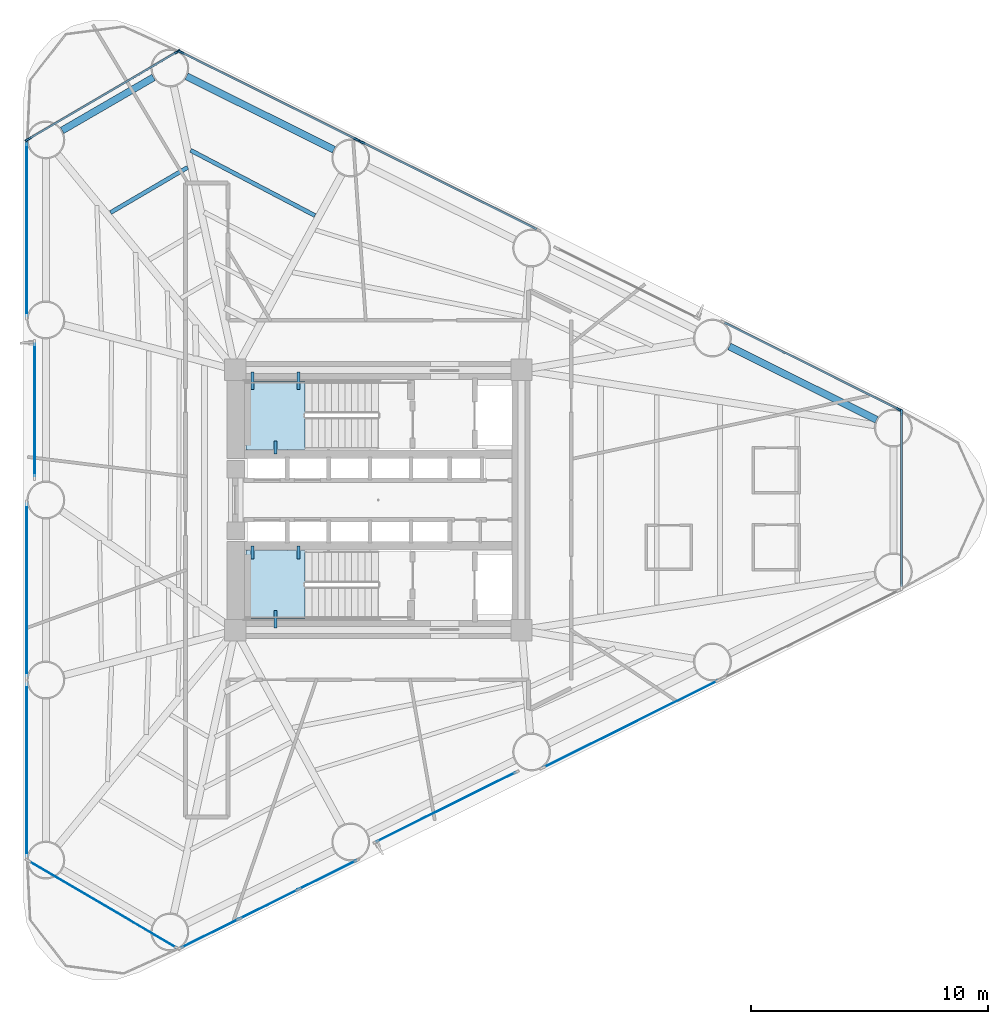
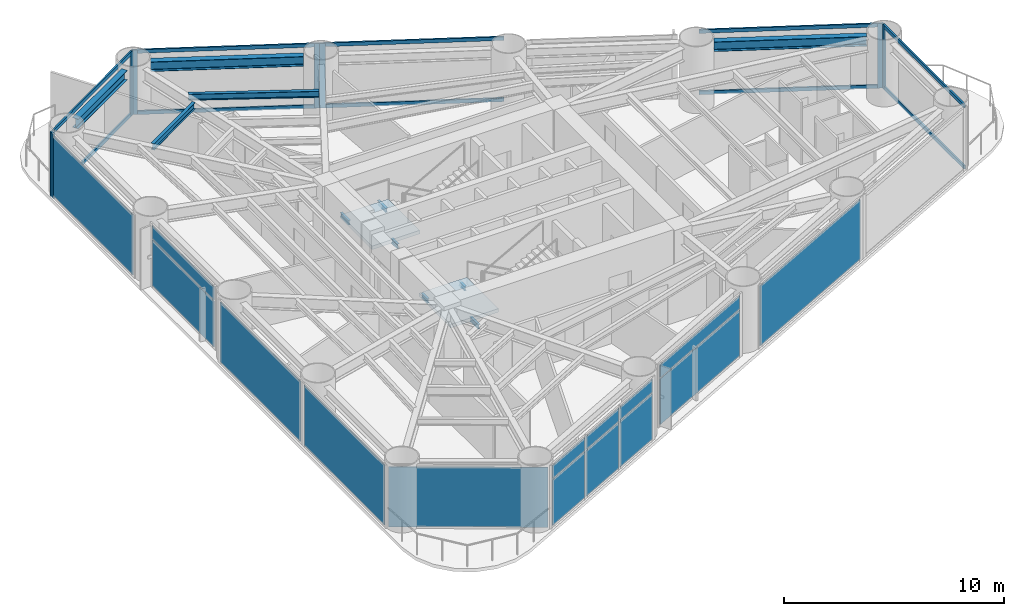
# One storey, part 4 of 10: 18 members, 15 plates, 11 beams, 2 slabs, 15 elements without a shape of their own.
"""IFC4 building model written with IfcOpenShell, lengths in metres."""

from ifc_helpers import new_model, si_unit, direction, frame, origin, origin_2d, place, context, subcontext, project, spatial, polyline, rectangle, i_section, outline, extrude, source, transform, mapped, material, layer, layer_set, material_profile, profile_set, type_object, element, aggregate, save


model = new_model("IFC4")

# Units and contexts
model_context = context("Model", 3, precision=1e-05, world=origin(), true_north=direction((0.0, 1.0)))
body_context = subcontext(model_context, "Body", "Model", "MODEL_VIEW")
ifc_project = project(units=[si_unit("LENGTHUNIT", "METRE"), si_unit("AREAUNIT", "SQUARE_METRE"), si_unit("VOLUMEUNIT", "CUBIC_METRE"), si_unit("PLANEANGLEUNIT", "RADIAN"), si_unit("MASSUNIT", "GRAM", prefix="KILO")], contexts=[model_context])

# Site, building, storey
site_placement = place(None, origin())
site = spatial("IfcSite", under=ifc_project, at=site_placement, CompositionType="ELEMENT")
building_placement = place(site_placement, origin())
building = spatial("IfcBuilding", under=site, at=building_placement, Name="Yunling Apex Tower", CompositionType="ELEMENT")
storey_placement = place(building_placement, frame((0.0, 0.0, 46.0)))
storey = spatial("IfcBuildingStorey", under=building, at=storey_placement, Name="L13", CompositionType="ELEMENT", Elevation=46.0)

# Beams
ifc_material_1 = material(Name="Steel Q355B", Category="steel")
ifc_material_profile_1 = material_profile(ifc_material_1, i_section(OverallWidth=0.125, OverallDepth=0.25, WebThickness=0.006103515625, FlangeThickness=0.009033203125, FilletRadius=0.011962890625, at=origin_2d()))
ifc_profile_set_1 = profile_set([ifc_material_profile_1], Name="Steel Q355B")
beam_type_1 = type_object("IfcBeamType", Name="BL-LNT-1", PredefinedType="LINTEL", material=ifc_profile_set_1)
shared_shape_1 = source(origin(), body_context, "Body", "SweptSolid", [
    extrude(i_section(OverallWidth=0.125, OverallDepth=0.25, WebThickness=0.006103515625, FlangeThickness=0.009033203125, FilletRadius=0.011962890625, at=origin_2d()), origin(), (0.0, 0.0, 1.0), 0.760009765625),
])
for number, where, z_axis, x_axis, name in (
    (1, (-5.320068359375, 5.419921875, 1.530029296875), (0.0, -1.0, 0.0), (1.0, 0.0, 0.0), "L13 ST-1 Landing Bearing Corbel 1-1"),
    (2, (-3.3701171875, 5.419921875, 1.530029296875), (0.0, -1.0, 0.0), (1.0, 0.0, 0.0), "L13 ST-1 Landing Bearing Corbel 1-2"),
    (3, (-4.344970703125, -5.419921875, 1.530029296875), (0.0, 1.0, 0.0), (-1.0, 0.0, 0.0), "L13 ST-2 Landing Bearing Corbel 1-3"),
):
    element("IfcBeam", number, at=place(storey_placement, frame(where, z_axis=z_axis, x_axis=x_axis)), inside=storey, type_object=beam_type_1, Name=name, PredefinedType="LINTEL", context=body_context, shape_type="MappedRepresentation", body=[
        mapped(shared_shape_1, transform((0.0, 0.0, 0.0), scale=1.0)),
    ])
shared_shape_2 = source(origin(), body_context, "Body", "SweptSolid", [
    extrude(i_section(OverallWidth=0.125, OverallDepth=0.25, WebThickness=0.006103515625, FlangeThickness=0.009033203125, FilletRadius=0.011962890625, at=origin_2d()), origin(), (0.0, 0.0, 1.0), 0.550048828125),
])
for number, where, z_axis, x_axis, name in (
    (4, (-4.344970703125, 1.93994140625, 1.530029296875), (0.0, 1.0, 0.0), (-1.0, 0.0, 0.0), "L13 ST-1 Landing Bearing Corbel 1-3"),
    (5, (-5.320068359375, -1.93994140625, 1.530029296875), (0.0, -1.0, 0.0), (1.0, 0.0, 0.0), "L13 ST-2 Landing Bearing Corbel 1-1"),
    (6, (-3.3701171875, -1.93994140625, 1.530029296875), (0.0, -1.0, 0.0), (1.0, 0.0, 0.0), "L13 ST-2 Landing Bearing Corbel 1-2"),
):
    element("IfcBeam", number, at=place(storey_placement, frame(where, z_axis=z_axis, x_axis=x_axis)), inside=storey, type_object=beam_type_1, Name=name, PredefinedType="LINTEL", context=body_context, shape_type="MappedRepresentation", body=[
        mapped(shared_shape_2, transform((0.0, 0.0, 0.0), scale=1.0)),
    ])
ifc_material_profile_2 = material_profile(ifc_material_1, i_section(OverallWidth=0.300048828125, OverallDepth=0.5400390625, WebThickness=0.011962890625, FlangeThickness=0.02001953125, FilletRadius=0.02392578125, at=origin_2d()))
ifc_profile_set_2 = profile_set([ifc_material_profile_2], Name="Steel Q355B")
beam_type_2 = type_object("IfcBeamType", Name="BP-SPN-1", PredefinedType="SPANDREL", material=ifc_profile_set_2)
shared_shape_3 = source(origin(), body_context, "Body", "SweptSolid", [
    extrude(i_section(OverallWidth=0.300048828125, OverallDepth=0.5400390625, WebThickness=0.011962890625, FlangeThickness=0.02001953125, FilletRadius=0.02392578125, at=origin_2d()), origin(), (0.0, 0.0, 1.0), 6.950927734375),
])
for number, where, z_axis, x_axis, name in (
    (7, (21.055419921875, 3.392578125, 3.2099609375), (-0.895247556401, 0.445569088646, 0.0), (-0.445569088646, -0.895247556401, 0.0), "L13 Perimeter Spandrel Beam 6"),
    (8, (-1.8779296875, 14.806884765625, 3.2099609375), (-0.89524058306, 0.445583099368, 0.0), (-0.445583099368, -0.89524058306, 0.0), "L13 Perimeter Spandrel Beam 9"),
):
    element("IfcBeam", number, at=place(storey_placement, frame(where, z_axis=z_axis, x_axis=x_axis)), inside=storey, type_object=beam_type_2, Name=name, PredefinedType="SPANDREL", context=body_context, shape_type="MappedRepresentation", body=[
        mapped(shared_shape_3, transform((0.0, 0.0, 0.0), scale=1.0)),
    ])
shared_shape_4 = source(origin(), body_context, "Body", "SweptSolid", [
    extrude(i_section(OverallWidth=0.300048828125, OverallDepth=0.5400390625, WebThickness=0.011962890625, FlangeThickness=0.02001953125, FilletRadius=0.02392578125, at=origin_2d()), origin(), (0.0, 0.0, 1.0), 4.469970703125),
])
beam_1_placement = place(storey_placement, frame((-9.498291015625, 17.859619140625, 3.2099609375), z_axis=(-0.865055841155, -0.501675584102, 0.0), x_axis=(0.501675584102, -0.865055841155, 0.0)))
element("IfcBeam", 9, at=beam_1_placement, inside=storey, type_object=beam_type_2, Name="L13 Perimeter Spandrel Beam 10", PredefinedType="SPANDREL", context=body_context, shape_type="MappedRepresentation", body=[
    mapped(shared_shape_4, transform((0.0, 0.0, 0.0), scale=1.0)),
])
ifc_material_profile_3 = material_profile(ifc_material_1, i_section(OverallWidth=0.175048828125, OverallDepth=0.35009765625, WebThickness=0.007080078125, FlangeThickness=0.010986328125, FilletRadius=0.013916015625, at=origin_2d()))
ifc_profile_set_3 = profile_set([ifc_material_profile_3], Name="Steel Q355B")
beam_type_3 = type_object("IfcBeamType", Name="BJ-JST-1", PredefinedType="JOIST", material=ifc_profile_set_3)
shared_shape_5 = source(origin(), body_context, "Body", "SweptSolid", [
    extrude(i_section(OverallWidth=0.175048828125, OverallDepth=0.35009765625, WebThickness=0.007080078125, FlangeThickness=0.010986328125, FilletRadius=0.013916015625, at=origin_2d()), origin(), (0.0, 0.0, 1.0), 5.935791015625),
])
beam_2_placement = place(storey_placement, frame((-2.676513671875, 12.02001953125, 3.304931640625), z_axis=(-0.885494794786, 0.464649296144, 0.0), x_axis=(-0.464649296144, -0.885494794786, 0.0)))
element("IfcBeam", 10, at=beam_2_placement, inside=storey, type_object=beam_type_3, Name="L13 Composite Floor Joist BJ1-9", PredefinedType="JOIST", context=body_context, shape_type="MappedRepresentation", body=[
    mapped(shared_shape_5, transform((0.0, 0.0, 0.0), scale=1.0)),
])
shared_shape_6 = source(origin(), body_context, "Body", "SweptSolid", [
    extrude(i_section(OverallWidth=0.175048828125, OverallDepth=0.35009765625, WebThickness=0.007080078125, FlangeThickness=0.010986328125, FilletRadius=0.013916015625, at=origin_2d()), origin(), (0.0, 0.0, 1.0), 3.77880859375),
])
beam_3_placement = place(storey_placement, frame((-8.05810546875, 14.05810546875, 3.304931640625), z_axis=(-0.862642562353, -0.50581400694, 0.0), x_axis=(0.50581400694, -0.862642562353, 0.0)))
element("IfcBeam", 11, at=beam_3_placement, inside=storey, type_object=beam_type_3, Name="L13 Composite Floor Joist BJ1-10", PredefinedType="JOIST", context=body_context, shape_type="MappedRepresentation", body=[
    mapped(shared_shape_6, transform((0.0, 0.0, 0.0), scale=1.0)),
])

# Curtain wall, members
ifc_material_2 = material(Name="Bronze anodised aluminium", Category="aluminium")
ifc_layer_1 = layer(ifc_material_2, 0.260009765625)
ifc_layer_set_1 = layer_set([ifc_layer_1], Name="Bronze anodised aluminium")
curtain_wall_type = type_object("IfcCurtainWallType", Name="CW-SYS-2", PredefinedType="NOTDEFINED", material=ifc_layer_set_1)
curtain_wall_1_placement = place(storey_placement, origin())
curtain_wall_1 = element("IfcCurtainWall", 12, at=curtain_wall_1_placement, inside=storey, type_object=curtain_wall_type, Name="CW-L13-F2-B3", PredefinedType="NOTDEFINED")
ifc_material_profile_4 = material_profile(ifc_material_2, rectangle(XDim=0.0849609375, YDim=0.199951171875, at=origin_2d()))
ifc_profile_set_4 = profile_set([ifc_material_profile_4], Name="Bronze anodised aluminium")
member_type_1 = type_object("IfcMemberType", Name="CW-TRN-2", PredefinedType="USERDEFINED", material=ifc_profile_set_4)
shared_shape_7 = source(origin(), body_context, "Body", "SweptSolid", [
    extrude(rectangle(XDim=0.0849609375, YDim=0.199951171875, at=origin_2d()), origin(), (0.0, 0.0, 1.0), 8.217529296875),
])
member_1_placement = place(storey_placement, frame((6.6943359375, 11.445068359375, 0.04248046875), z_axis=(-0.895239752613, 0.445584767852, 0.0), x_axis=(-0.445584767852, -0.895239752613, 0.0)))
member_1 = element("IfcMember", 13, at=member_1_placement, type_object=member_type_1, Name="CW-SYS-2 transom 1.1", ObjectType="TRANSOM", PredefinedType="USERDEFINED", context=body_context, shape_type="MappedRepresentation", body=[
    mapped(shared_shape_7, transform((0.0, 0.0, 0.0), scale=1.0)),
])
member_2_placement = place(storey_placement, frame((6.6943359375, 11.445068359375, 3.4375), z_axis=(-0.895239752613, 0.445584767852, 0.0), x_axis=(-0.445584767852, -0.895239752613, 0.0)))
member_2 = element("IfcMember", 14, at=member_2_placement, type_object=member_type_1, Name="CW-SYS-2 transom 1.2", ObjectType="TRANSOM", PredefinedType="USERDEFINED", context=body_context, shape_type="MappedRepresentation", body=[
    mapped(shared_shape_7, transform((0.0, 0.0, 0.0), scale=1.0)),
])

curtain_wall_2_placement = place(storey_placement, origin())
curtain_wall_2 = element("IfcCurtainWall", 15, at=curtain_wall_2_placement, inside=storey, type_object=curtain_wall_type, Name="CW-L13-F2-B1", PredefinedType="NOTDEFINED")
shared_shape_8 = source(origin(), body_context, "Body", "SweptSolid", [
    extrude(rectangle(XDim=0.0849609375, YDim=0.199951171875, at=origin_2d()), origin(), (0.0, 0.0, 1.0), 8.21728515625),
])
member_3_placement = place(storey_placement, frame((21.983154296875, 3.835693359375, 0.04248046875), z_axis=(-0.895245705371, 0.445572807761, 0.0), x_axis=(-0.445572807761, -0.895245705371, 0.0)))
member_3 = element("IfcMember", 16, at=member_3_placement, type_object=member_type_1, Name="CW-SYS-2 transom 1.1", ObjectType="TRANSOM", PredefinedType="USERDEFINED", context=body_context, shape_type="MappedRepresentation", body=[
    mapped(shared_shape_8, transform((0.0, 0.0, 0.0), scale=1.0)),
])
member_4_placement = place(storey_placement, frame((21.983154296875, 3.835693359375, 3.4375), z_axis=(-0.895245705371, 0.445572807761, 0.0), x_axis=(-0.445572807761, -0.895245705371, 0.0)))
member_4 = element("IfcMember", 17, at=member_4_placement, type_object=member_type_1, Name="CW-SYS-2 transom 1.2", ObjectType="TRANSOM", PredefinedType="USERDEFINED", context=body_context, shape_type="MappedRepresentation", body=[
    mapped(shared_shape_8, transform((0.0, 0.0, 0.0), scale=1.0)),
])

curtain_wall_3_placement = place(storey_placement, origin())
curtain_wall_3 = element("IfcCurtainWall", 18, at=curtain_wall_3_placement, inside=storey, type_object=curtain_wall_type, Name="CW-L13-F2-B4", PredefinedType="NOTDEFINED")
member_5_placement = place(storey_placement, frame((-0.9501953125, 15.25, 0.04248046875), z_axis=(-0.895245705371, 0.445572807761, 0.0), x_axis=(-0.445572807761, -0.895245705371, 0.0)))
member_5 = element("IfcMember", 19, at=member_5_placement, type_object=member_type_1, Name="CW-SYS-2 transom 1.1", ObjectType="TRANSOM", PredefinedType="USERDEFINED", context=body_context, shape_type="MappedRepresentation", body=[
    mapped(shared_shape_8, transform((0.0, 0.0, 0.0), scale=1.0)),
])
member_6_placement = place(storey_placement, frame((-0.9501953125, 15.25, 3.4375), z_axis=(-0.895245705371, 0.445572807761, 0.0), x_axis=(-0.445572807761, -0.895245705371, 0.0)))
member_6 = element("IfcMember", 20, at=member_6_placement, type_object=member_type_1, Name="CW-SYS-2 transom 1.2", ObjectType="TRANSOM", PredefinedType="USERDEFINED", context=body_context, shape_type="MappedRepresentation", body=[
    mapped(shared_shape_8, transform((0.0, 0.0, 0.0), scale=1.0)),
])

curtain_wall_4_placement = place(storey_placement, origin())
curtain_wall_4 = element("IfcCurtainWall", 21, at=curtain_wall_4_placement, inside=storey, type_object=curtain_wall_type, Name="CW-L13-CRN1", PredefinedType="NOTDEFINED")
shared_shape_9 = source(origin(), body_context, "Body", "SweptSolid", [
    extrude(rectangle(XDim=0.0849609375, YDim=0.199951171875, at=origin_2d()), origin(), (0.0, 0.0, 1.0), 7.33056640625),
])
member_7_placement = place(storey_placement, frame((22.1181640625, -3.665283203125, 0.04248046875), z_axis=(0.0, 1.0, 0.0), x_axis=(-1.0, 0.0, 0.0)))
member_7 = element("IfcMember", 22, at=member_7_placement, type_object=member_type_1, Name="CW-SYS-2 transom 1.1", ObjectType="TRANSOM", PredefinedType="USERDEFINED", context=body_context, shape_type="MappedRepresentation", body=[
    mapped(shared_shape_9, transform((0.0, 0.0, 0.0), scale=1.0)),
])
member_8_placement = place(storey_placement, frame((22.1181640625, -3.665283203125, 3.4375), z_axis=(0.0, 1.0, 0.0), x_axis=(-1.0, 0.0, 0.0)))
member_8 = element("IfcMember", 23, at=member_8_placement, type_object=member_type_1, Name="CW-SYS-2 transom 1.2", ObjectType="TRANSOM", PredefinedType="USERDEFINED", context=body_context, shape_type="MappedRepresentation", body=[
    mapped(shared_shape_9, transform((0.0, 0.0, 0.0), scale=1.0)),
])

curtain_wall_5_placement = place(storey_placement, origin())
curtain_wall_5 = element("IfcCurtainWall", 24, at=curtain_wall_5_placement, inside=storey, type_object=curtain_wall_type, Name="CW-L13-CRN2", PredefinedType="NOTDEFINED")
shared_shape_10 = source(origin(), body_context, "Body", "SweptSolid", [
    extrude(rectangle(XDim=0.0849609375, YDim=0.199951171875, at=origin_2d()), origin(), (0.0, 0.0, 1.0), 7.239501953125),
])
member_9_placement = place(storey_placement, frame((-8.529052734375, 18.92431640625, 0.04248046875), z_axis=(-0.862419304353, -0.506194570772, 0.0), x_axis=(0.506194570772, -0.862419304353, 0.0)))
member_9 = element("IfcMember", 25, at=member_9_placement, type_object=member_type_1, Name="CW-SYS-2 transom 1.1", ObjectType="TRANSOM", PredefinedType="USERDEFINED", context=body_context, shape_type="MappedRepresentation", body=[
    mapped(shared_shape_10, transform((0.0, 0.0, 0.0), scale=1.0)),
])
member_10_placement = place(storey_placement, frame((-8.529052734375, 18.92431640625, 3.4375), z_axis=(-0.862419304353, -0.506194570772, 0.0), x_axis=(0.506194570772, -0.862419304353, 0.0)))
member_10 = element("IfcMember", 26, at=member_10_placement, type_object=member_type_1, Name="CW-SYS-2 transom 1.2", ObjectType="TRANSOM", PredefinedType="USERDEFINED", context=body_context, shape_type="MappedRepresentation", body=[
    mapped(shared_shape_10, transform((0.0, 0.0, 0.0), scale=1.0)),
])

# Member
ifc_material_profile_5 = material_profile(ifc_material_2, rectangle(XDim=0.0849609375, YDim=0.260009765625, at=origin_2d()))
ifc_profile_set_5 = profile_set([ifc_material_profile_5], Name="Bronze anodised aluminium")
member_type_2 = type_object("IfcMemberType", Name="CW-MUL-2", PredefinedType="MULLION", material=ifc_profile_set_5)
shared_shape_11 = source(origin(), body_context, "Body", "SweptSolid", [
    extrude(rectangle(XDim=0.0849609375, YDim=0.260009765625, at=origin_2d()), origin(), (0.0, 0.0, 1.0), 3.580078125),
])
member_11_placement = place(storey_placement, frame((22.1181640625, 3.70361328125, -0.050048828125), z_axis=(0.0, 0.0, 1.0), x_axis=(-1.0, 0.0, 0.0)))
member_11 = element("IfcMember", 27, at=member_11_placement, type_object=member_type_2, Name="CW-SYS-2 mullion 2", PredefinedType="MULLION", context=body_context, shape_type="MappedRepresentation", body=[
    mapped(shared_shape_11, transform((0.0, 0.0, 0.0), scale=1.0)),
])

aggregate(curtain_wall_4, [member_11, member_7, member_8])

member_12_placement = place(storey_placement, frame((22.017333984375, 3.818603515625, -0.050048828125), z_axis=(0.0, 0.0, 1.0), x_axis=(-0.445580190214, -0.895242031011, 0.0)))
member_12 = element("IfcMember", 28, at=member_12_placement, type_object=member_type_2, Name="CW-SYS-2 mullion 1", PredefinedType="MULLION", context=body_context, shape_type="MappedRepresentation", body=[
    mapped(shared_shape_11, transform((0.0, 0.0, 0.0), scale=1.0)),
])

aggregate(curtain_wall_2, [member_12, member_3, member_4])

member_13_placement = place(storey_placement, frame((-0.696533203125, 15.123779296875, -0.050048828125), z_axis=(0.0, 0.0, 1.0), x_axis=(-0.445580190214, -0.895242031011, 0.0)))
member_13 = element("IfcMember", 29, at=member_13_placement, type_object=member_type_2, Name="CW-SYS-2 mullion 2", PredefinedType="MULLION", context=body_context, shape_type="MappedRepresentation", body=[
    mapped(shared_shape_11, transform((0.0, 0.0, 0.0), scale=1.0)),
])

aggregate(curtain_wall_1, [member_13, member_1, member_2])

member_14_placement = place(storey_placement, frame((-0.915771484375, 15.23291015625, -0.050048828125), z_axis=(0.0, 0.0, 1.0), x_axis=(-0.445570625003, -0.895246791748, 0.0)))
member_14 = element("IfcMember", 30, at=member_14_placement, type_object=member_type_2, Name="CW-SYS-2 mullion 1", PredefinedType="MULLION", context=body_context, shape_type="MappedRepresentation", body=[
    mapped(shared_shape_11, transform((0.0, 0.0, 0.0), scale=1.0)),
])

member_15_placement = place(storey_placement, frame((-8.341064453125, 18.928466796875, -0.050048828125), z_axis=(0.0, 0.0, 1.0), x_axis=(-0.445570625003, -0.895246791748, 0.0)))
member_15 = element("IfcMember", 31, at=member_15_placement, type_object=member_type_2, Name="CW-SYS-2 mullion 2", PredefinedType="MULLION", context=body_context, shape_type="MappedRepresentation", body=[
    mapped(shared_shape_11, transform((0.0, 0.0, 0.0), scale=1.0)),
])

aggregate(curtain_wall_3, [member_14, member_15, member_5, member_6])

member_16_placement = place(storey_placement, frame((-8.49609375, 18.943603515625, -0.050048828125), z_axis=(0.0, 0.0, 1.0), x_axis=(0.506195543811, -0.86241873323, 0.0)))
member_16 = element("IfcMember", 32, at=member_16_placement, type_object=member_type_2, Name="CW-SYS-2 mullion 1", PredefinedType="MULLION", context=body_context, shape_type="MappedRepresentation", body=[
    mapped(shared_shape_11, transform((0.0, 0.0, 0.0), scale=1.0)),
])

member_17_placement = place(storey_placement, frame((-14.805419921875, 15.240478515625, -0.050048828125), z_axis=(0.0, 0.0, 1.0), x_axis=(0.506195543811, -0.86241873323, 0.0)))
member_17 = element("IfcMember", 33, at=member_17_placement, type_object=member_type_2, Name="CW-SYS-2 mullion 2", PredefinedType="MULLION", context=body_context, shape_type="MappedRepresentation", body=[
    mapped(shared_shape_11, transform((0.0, 0.0, 0.0), scale=1.0)),
])

aggregate(curtain_wall_5, [member_16, member_17, member_9, member_10])

# Curtain wall, member
curtain_wall_6_placement = place(storey_placement, origin())
curtain_wall_6 = element("IfcCurtainWall", 34, at=curtain_wall_6_placement, inside=storey, type_object=curtain_wall_type, Name="CW-L13-F3-B1", PredefinedType="NOTDEFINED")
member_18_placement = place(storey_placement, frame((-14.862060546875, 15.096435546875, -0.050048828125), z_axis=(0.0, 0.0, 1.0), x_axis=(1.0, 0.0, 0.0)))
member_18 = element("IfcMember", 35, at=member_18_placement, type_object=member_type_2, Name="CW-SYS-2 mullion 1", PredefinedType="MULLION", context=body_context, shape_type="MappedRepresentation", body=[
    mapped(shared_shape_11, transform((0.0, 0.0, 0.0), scale=1.0)),
])

# Stair, slab
ifc_material_3 = material(Name="Concrete C40", Category="concrete")
stair_type = type_object("IfcStairType", Name="ST-TWR-1", PredefinedType="HALF_TURN_STAIR", material=ifc_material_3)
stair_1_placement = place(storey_placement, origin())
stair_1 = element("IfcStair", 36, at=stair_1_placement, inside=storey, type_object=stair_type, Name="L13 North Core Smokeproof Exit Stair ST-1", PredefinedType="HALF_TURN_STAIR")
ifc_layer_2 = layer(ifc_material_3, 0.195068359375)
ifc_layer_set_2 = layer_set([ifc_layer_2], Name="Concrete C40")
slab_type = type_object("IfcSlabType", Name="SL-LND-1", PredefinedType="LANDING", material=ifc_layer_set_2)
slab_1_placement = place(storey_placement, frame((0.0, 0.0, 1.655029296875)))
slab_1 = element("IfcSlab", 37, at=slab_1_placement, type_object=slab_type, Name="ST-1 landing 1", PredefinedType="LANDING", context=body_context, shape_type="SweptSolid", body=[
    extrude(outline(polyline([(-3.090087890625, 5.010009765625), (-5.60009765625, 5.010009765625), (-5.60009765625, 2.139892578125), (-3.090087890625, 2.139892578125), (-3.090087890625, 5.010009765625)])), origin(), (0.0, 0.0, 1.0), 0.195068359375),
])
aggregate(stair_1, [slab_1])

stair_2_placement = place(storey_placement, origin())
stair_2 = element("IfcStair", 38, at=stair_2_placement, inside=storey, type_object=stair_type, Name="L13 South Core Smokeproof Exit Stair ST-2", PredefinedType="HALF_TURN_STAIR")
slab_2_placement = place(storey_placement, frame((0.0, 0.0, 1.655029296875)))
slab_2 = element("IfcSlab", 39, at=slab_2_placement, type_object=slab_type, Name="ST-2 landing 1", PredefinedType="LANDING", context=body_context, shape_type="SweptSolid", body=[
    extrude(outline(polyline([(-3.090087890625, -2.139892578125), (-5.60009765625, -2.139892578125), (-5.60009765625, -5.010009765625), (-3.090087890625, -5.010009765625), (-3.090087890625, -2.139892578125)])), origin(), (0.0, 0.0, 1.0), 0.195068359375),
])
aggregate(stair_2, [slab_2])

# Curtain wall, plates
curtain_wall_7_placement = place(storey_placement, origin())
curtain_wall_7 = element("IfcCurtainWall", 40, at=curtain_wall_7_placement, inside=storey, type_object=curtain_wall_type, Name="CW-L13-F1-B1", PredefinedType="NOTDEFINED")
ifc_material_4 = material(Name="Bronze tinted low-E glass", Category="glass")
ifc_layer_3 = layer(ifc_material_4, 0.033935546875)
ifc_layer_set_3 = layer_set([ifc_layer_3], Name="Bronze tinted low-E glass")
plate_type = type_object("IfcPlateType", Name="CW-PNL-2", PredefinedType="CURTAIN_PANEL", material=ifc_layer_set_3)
shared_shape_12 = source(origin(), body_context, "Body", "SweptSolid", [
    extrude(rectangle(XDim=2.681884765625, YDim=0.033935546875, at=origin_2d()), origin(), (0.0, 0.0, 1.0), 2.53369140625),
])
plate_1_placement = place(storey_placement, frame((-7.10986328125, -18.315673828125, 0.076904296875), z_axis=(0.0, 0.0, 1.0), x_axis=(0.895246791748, 0.445570625003, 0.0)))
plate_1 = element("IfcPlate", 41, at=plate_1_placement, type_object=plate_type, Name="CW-SYS-2 panel 1.1", PredefinedType="CURTAIN_PANEL", context=body_context, shape_type="MappedRepresentation", body=[
    mapped(shared_shape_12, transform((0.0, 0.0, 0.0), scale=1.0)),
])
plate_2_placement = place(storey_placement, frame((-2.14697265625, -15.845703125, 0.076904296875), z_axis=(0.0, 0.0, 1.0), x_axis=(0.895246791748, 0.445570625003, 0.0)))
plate_2 = element("IfcPlate", 42, at=plate_2_placement, type_object=plate_type, Name="CW-SYS-2 panel 3.1", PredefinedType="CURTAIN_PANEL", context=body_context, shape_type="MappedRepresentation", body=[
    mapped(shared_shape_12, transform((0.0, 0.0, 0.0), scale=1.0)),
])
shared_shape_13 = source(origin(), body_context, "Body", "SweptSolid", [
    extrude(rectangle(XDim=2.681884765625, YDim=0.033935546875, at=origin_2d()), origin(), (0.0, 0.0, 1.0), 0.72412109375),
])
plate_3_placement = place(storey_placement, frame((-7.10986328125, -18.315673828125, 2.67919921875), z_axis=(0.0, 0.0, 1.0), x_axis=(0.895246791748, 0.445570625003, 0.0)))
plate_3 = element("IfcPlate", 43, at=plate_3_placement, type_object=plate_type, Name="CW-SYS-2 panel 1.2", PredefinedType="CURTAIN_PANEL", context=body_context, shape_type="MappedRepresentation", body=[
    mapped(shared_shape_13, transform((0.0, 0.0, 0.0), scale=1.0)),
])
plate_4_placement = place(storey_placement, frame((-2.14697265625, -15.845703125, 2.67919921875), z_axis=(0.0, 0.0, 1.0), x_axis=(0.895246791748, 0.445570625003, 0.0)))
plate_4 = element("IfcPlate", 44, at=plate_4_placement, type_object=plate_type, Name="CW-SYS-2 panel 3.2", PredefinedType="CURTAIN_PANEL", context=body_context, shape_type="MappedRepresentation", body=[
    mapped(shared_shape_13, transform((0.0, 0.0, 0.0), scale=1.0)),
])
shared_shape_14 = source(origin(), body_context, "Body", "SweptSolid", [
    extrude(rectangle(XDim=2.724365234375, YDim=0.033935546875, at=origin_2d()), origin(), (0.0, 0.0, 1.0), 2.53369140625),
])
plate_5_placement = place(storey_placement, frame((-4.62841796875, -17.08056640625, 0.076904296875), z_axis=(0.0, 0.0, 1.0), x_axis=(0.895246791748, 0.445570625003, 0.0)))
plate_5 = element("IfcPlate", 45, at=plate_5_placement, type_object=plate_type, Name="CW-SYS-2 panel 2.1", PredefinedType="CURTAIN_PANEL", context=body_context, shape_type="MappedRepresentation", body=[
    mapped(shared_shape_14, transform((0.0, 0.0, 0.0), scale=1.0)),
])
shared_shape_15 = source(origin(), body_context, "Body", "SweptSolid", [
    extrude(rectangle(XDim=2.724365234375, YDim=0.033935546875, at=origin_2d()), origin(), (0.0, 0.0, 1.0), 0.72412109375),
])
plate_6_placement = place(storey_placement, frame((-4.62841796875, -17.08056640625, 2.67919921875), z_axis=(0.0, 0.0, 1.0), x_axis=(0.895246791748, 0.445570625003, 0.0)))
plate_6 = element("IfcPlate", 46, at=plate_6_placement, type_object=plate_type, Name="CW-SYS-2 panel 2.2", PredefinedType="CURTAIN_PANEL", context=body_context, shape_type="MappedRepresentation", body=[
    mapped(shared_shape_15, transform((0.0, 0.0, 0.0), scale=1.0)),
])
aggregate(curtain_wall_7, [plate_1, plate_3, plate_5, plate_6, plate_2, plate_4])

curtain_wall_8_placement = place(storey_placement, origin())
curtain_wall_8 = element("IfcCurtainWall", 47, at=curtain_wall_8_placement, inside=storey, type_object=curtain_wall_type, Name="CW-L13-F1-B2", PredefinedType="NOTDEFINED")
shared_shape_16 = source(origin(), body_context, "Body", "SweptSolid", [
    extrude(rectangle(XDim=6.545654296875, YDim=0.033935546875, at=origin_2d()), origin(), (0.0, 0.0, 1.0), 2.53369140625),
])
plate_7_placement = place(storey_placement, frame((2.864501953125, -12.971435546875, 0.076904296875), z_axis=(0.0, 0.0, 1.0), x_axis=(0.895240741459, 0.445582781121, 0.0)))
plate_7 = element("IfcPlate", 48, at=plate_7_placement, type_object=plate_type, Name="CW-SYS-2 panel 1.1", PredefinedType="CURTAIN_PANEL", context=body_context, shape_type="MappedRepresentation", body=[
    mapped(shared_shape_16, transform((0.0, 0.0, 0.0), scale=1.0)),
])
shared_shape_17 = source(origin(), body_context, "Body", "SweptSolid", [
    extrude(rectangle(XDim=6.545654296875, YDim=0.033935546875, at=origin_2d()), origin(), (0.0, 0.0, 1.0), 0.72412109375),
])
plate_8_placement = place(storey_placement, frame((2.864501953125, -12.971435546875, 2.67919921875), z_axis=(0.0, 0.0, 1.0), x_axis=(0.895240741459, 0.445582781121, 0.0)))
plate_8 = element("IfcPlate", 49, at=plate_8_placement, type_object=plate_type, Name="CW-SYS-2 panel 1.2", PredefinedType="CURTAIN_PANEL", context=body_context, shape_type="MappedRepresentation", body=[
    mapped(shared_shape_17, transform((0.0, 0.0, 0.0), scale=1.0)),
])
aggregate(curtain_wall_8, [plate_7, plate_8])

# Curtain wall, plate
curtain_wall_9_placement = place(storey_placement, origin())
curtain_wall_9 = element("IfcCurtainWall", 50, at=curtain_wall_9_placement, inside=storey, type_object=curtain_wall_type, Name="CW-L13-F1-B3", PredefinedType="NOTDEFINED")
shared_shape_18 = source(origin(), body_context, "Body", "SweptSolid", [
    extrude(rectangle(XDim=8.225341796875, YDim=0.033935546875, at=origin_2d()), origin(), (0.0, 0.0, 1.0), 3.326416015625),
])
plate_9_placement = place(storey_placement, frame((10.660400390625, -9.47119140625, 0.07666015625), z_axis=(0.0, 0.0, 1.0), x_axis=(0.895246791748, 0.445570625003, 0.0)))
plate_9 = element("IfcPlate", 51, at=plate_9_placement, type_object=plate_type, Name="CW-SYS-2 panel 1.1", PredefinedType="CURTAIN_PANEL", context=body_context, shape_type="MappedRepresentation", body=[
    mapped(shared_shape_18, transform((0.0, 0.0, 0.0), scale=1.0)),
])
aggregate(curtain_wall_9, [plate_9])

curtain_wall_10_placement = place(storey_placement, origin())
curtain_wall_10 = element("IfcCurtainWall", 52, at=curtain_wall_10_placement, inside=storey, type_object=curtain_wall_type, Name="CW-L13-CRN3", PredefinedType="NOTDEFINED")
shared_shape_19 = source(origin(), body_context, "Body", "SweptSolid", [
    extrude(rectangle(XDim=7.247314453125, YDim=0.033935546875, at=origin_2d()), origin(), (0.0, 0.0, 1.0), 3.326416015625),
])
plate_10_placement = place(storey_placement, frame((-11.650634765625, -17.092041015625, 0.07666015625), z_axis=(0.0, 0.0, 1.0), x_axis=(0.86241873323, -0.506195543811, 0.0)))
plate_10 = element("IfcPlate", 53, at=plate_10_placement, type_object=plate_type, Name="CW-SYS-2 panel 1.1", PredefinedType="CURTAIN_PANEL", context=body_context, shape_type="MappedRepresentation", body=[
    mapped(shared_shape_19, transform((0.0, 0.0, 0.0), scale=1.0)),
])
aggregate(curtain_wall_10, [plate_10])

# Plate
shared_shape_20 = source(origin(), body_context, "Body", "SweptSolid", [
    extrude(rectangle(XDim=7.2958984375, YDim=0.033935546875, at=origin_2d()), origin(), (0.0, 0.0, 1.0), 3.326416015625),
])
plate_11_placement = place(storey_placement, frame((-14.862060546875, 11.414306640625, 0.07666015625), z_axis=(0.0, 0.0, 1.0), x_axis=(0.0, -1.0, 0.0)))
plate_11 = element("IfcPlate", 54, at=plate_11_placement, type_object=plate_type, Name="CW-SYS-2 panel 1.1", PredefinedType="CURTAIN_PANEL", context=body_context, shape_type="MappedRepresentation", body=[
    mapped(shared_shape_20, transform((0.0, 0.0, 0.0), scale=1.0)),
])

aggregate(curtain_wall_6, [member_18, plate_11])

# Curtain wall, plate
curtain_wall_11_placement = place(storey_placement, origin())
curtain_wall_11 = element("IfcCurtainWall", 55, at=curtain_wall_11_placement, inside=storey, type_object=curtain_wall_type, Name="CW-L13-F3-B3", PredefinedType="NOTDEFINED")
plate_12_placement = place(storey_placement, frame((-14.862060546875, -3.8046875, 0.07666015625), z_axis=(0.0, 0.0, 1.0), x_axis=(0.0, -1.0, 0.0)))
plate_12 = element("IfcPlate", 56, at=plate_12_placement, type_object=plate_type, Name="CW-SYS-2 panel 1.1", PredefinedType="CURTAIN_PANEL", context=body_context, shape_type="MappedRepresentation", body=[
    mapped(shared_shape_20, transform((0.0, 0.0, 0.0), scale=1.0)),
])
aggregate(curtain_wall_11, [plate_12])

curtain_wall_12_placement = place(storey_placement, origin())
curtain_wall_12 = element("IfcCurtainWall", 57, at=curtain_wall_12_placement, inside=storey, type_object=curtain_wall_type, Name="CW-L13-F3-B4", PredefinedType="NOTDEFINED")
plate_13_placement = place(storey_placement, frame((-14.862060546875, -11.414306640625, 0.07666015625), z_axis=(0.0, 0.0, 1.0), x_axis=(0.0, -1.0, 0.0)))
plate_13 = element("IfcPlate", 58, at=plate_13_placement, type_object=plate_type, Name="CW-SYS-2 panel 1.1", PredefinedType="CURTAIN_PANEL", context=body_context, shape_type="MappedRepresentation", body=[
    mapped(shared_shape_20, transform((0.0, 0.0, 0.0), scale=1.0)),
])
aggregate(curtain_wall_12, [plate_13])

# Curtain wall, plates
curtain_wall_13_placement = place(storey_placement, origin())
curtain_wall_13 = element("IfcCurtainWall", 59, at=curtain_wall_13_placement, inside=storey, type_object=curtain_wall_type, Name="CW-L13-F3-B2", PredefinedType="NOTDEFINED")
shared_shape_21 = source(origin(), body_context, "Body", "SweptSolid", [
    extrude(rectangle(XDim=5.615966796875, YDim=0.033935546875, at=origin_2d()), origin(), (0.0, 0.0, 1.0), 2.53369140625),
])
plate_14_placement = place(storey_placement, frame((-14.52197265625, 3.8046875, 0.076904296875), z_axis=(0.0, 0.0, 1.0), x_axis=(0.0, -1.0, 0.0)))
plate_14 = element("IfcPlate", 60, at=plate_14_placement, type_object=plate_type, Name="CW-SYS-2 panel 1.1", PredefinedType="CURTAIN_PANEL", context=body_context, shape_type="MappedRepresentation", body=[
    mapped(shared_shape_21, transform((0.0, 0.0, 0.0), scale=1.0)),
])
shared_shape_22 = source(origin(), body_context, "Body", "SweptSolid", [
    extrude(rectangle(XDim=5.615966796875, YDim=0.033935546875, at=origin_2d()), origin(), (0.0, 0.0, 1.0), 0.72412109375),
])
plate_15_placement = place(storey_placement, frame((-14.52197265625, 3.8046875, 2.67919921875), z_axis=(0.0, 0.0, 1.0), x_axis=(0.0, -1.0, 0.0)))
plate_15 = element("IfcPlate", 61, at=plate_15_placement, type_object=plate_type, Name="CW-SYS-2 panel 1.2", PredefinedType="CURTAIN_PANEL", context=body_context, shape_type="MappedRepresentation", body=[
    mapped(shared_shape_22, transform((0.0, 0.0, 0.0), scale=1.0)),
])
aggregate(curtain_wall_13, [plate_14, plate_15])

save(model, "model.ifc")
